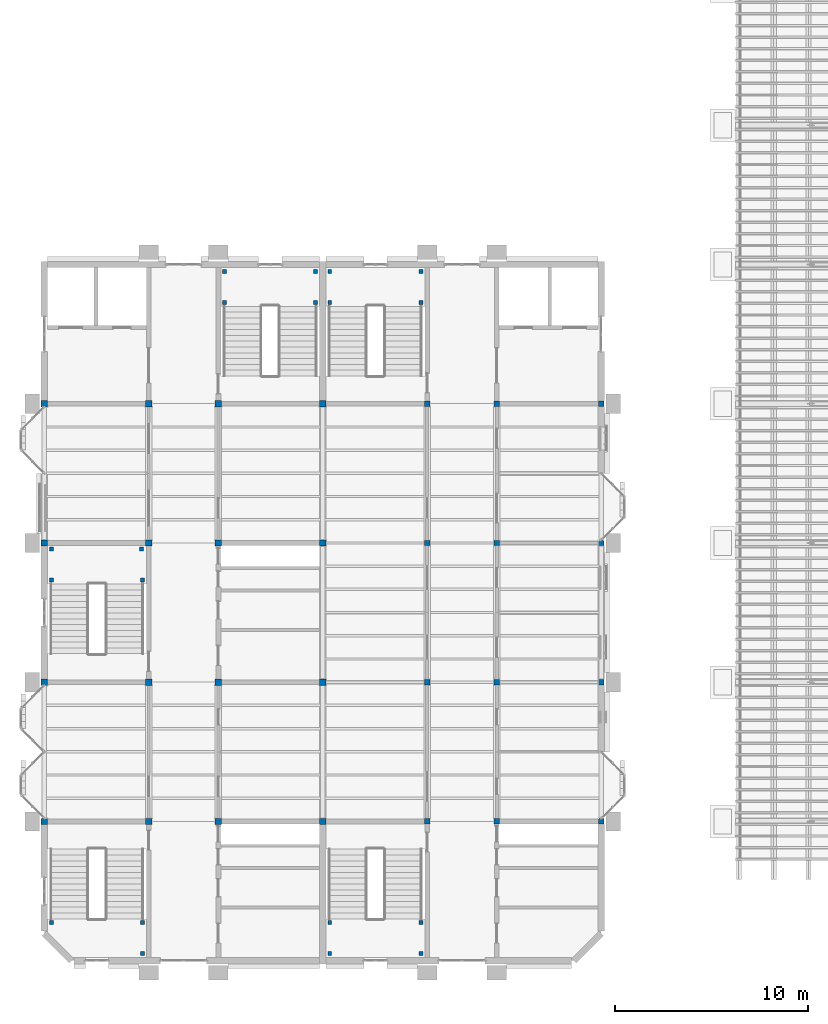
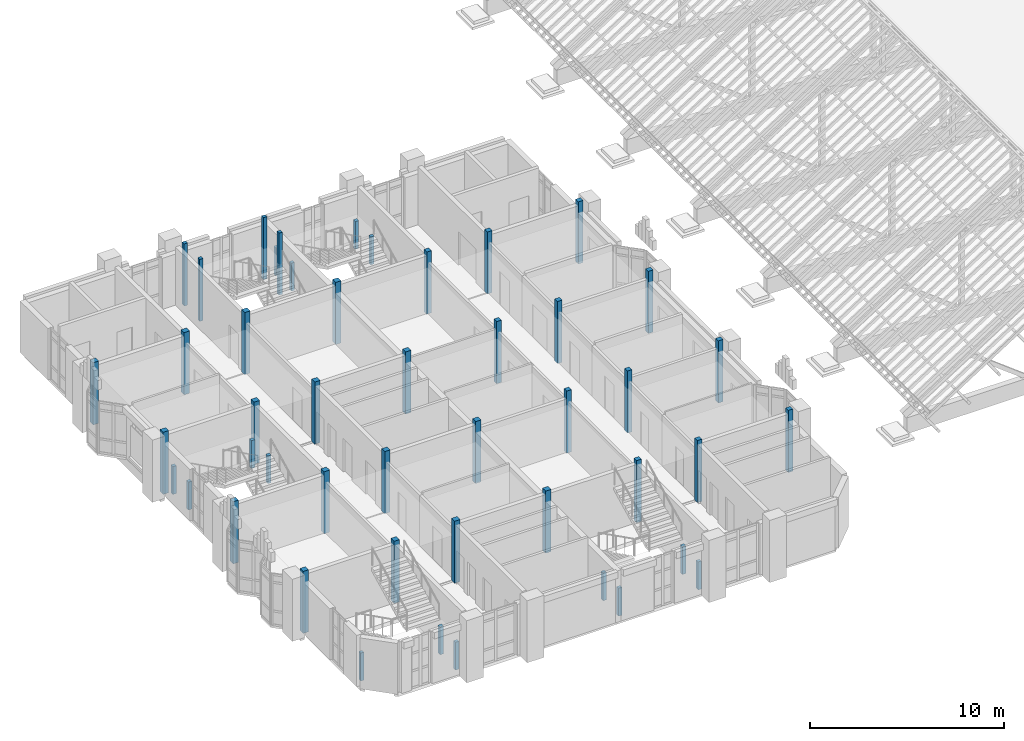
# One storey, part 1 of 71: 47 columns.
"""IFC4 building model written with IfcOpenShell, lengths in metres."""

from ifc_helpers import new_model, si_unit, direction, frame, origin, origin_2d, place, context, subcontext, project, spatial, rectangle, extrude, material, material_profile, profile_set, type_object, element, save


model = new_model("IFC4")

# Units and contexts
model_context = context("Model", 3, precision=1e-05, world=origin(), true_north=direction((0.0, 1.0)))
body_context = subcontext(model_context, "Body", "Model", "MODEL_VIEW")
ifc_project = project(units=[si_unit("LENGTHUNIT", "METRE"), si_unit("AREAUNIT", "SQUARE_METRE"), si_unit("VOLUMEUNIT", "CUBIC_METRE"), si_unit("PLANEANGLEUNIT", "RADIAN"), si_unit("MASSUNIT", "GRAM", prefix="KILO")], contexts=[model_context])

# Site, building, storey
site_placement = place(None, origin())
site = spatial("IfcSite", under=ifc_project, at=site_placement, CompositionType="ELEMENT")
building_placement = place(site_placement, origin())
building = spatial("IfcBuilding", under=site, at=building_placement, Name="Mazhai Court Health Centre", CompositionType="ELEMENT")
storey_placement = place(building_placement, frame((0.0, 0.0, 10.199951171875)))
storey = spatial("IfcBuildingStorey", under=building, at=storey_placement, Name="L02", CompositionType="ELEMENT", Elevation=10.199951171875)

# Columns
ifc_material_1 = material(Name="Glulam GL28h", Category="wood")
ifc_material_profile_1 = material_profile(ifc_material_1, rectangle(XDim=0.280029296875, YDim=0.280029296875, at=origin_2d()), Name="GL28h 280x280")
ifc_profile_set_1 = profile_set([ifc_material_profile_1], Name="Glulam GL28h")
column_type_1 = type_object("IfcColumnType", Name="GL28h 280x280 column", PredefinedType="COLUMN", material=ifc_profile_set_1)
for number, where, z_axis, x_axis, name in (
    (1, (26.0, 13.39990234375, 0.0), (0.0, 0.0, 1.0), (1.0, 0.0, 0.0), "col-V5-L02-01-B"),
    (2, (29.60009765625, 13.39990234375, 0.0), (0.0, 0.0, 1.0), (1.0, 0.0, 0.0), "col-V5-L02-01-C"),
    (3, (35.0, 13.39990234375, 0.0), (0.0, 0.0, 1.0), (1.0, 0.0, 0.0), "col-V5-L02-01-D"),
    (4, (26.0, 20.60009765625, 0.0), (0.0, 0.0, 1.0), (1.0, 0.0, 0.0), "col-V5-L02-02-B"),
    (5, (29.60009765625, 20.60009765625, 0.0), (0.0, 0.0, 1.0), (1.0, 0.0, 0.0), "col-V5-L02-02-C"),
    (6, (35.0, 20.60009765625, 0.0), (0.0, 0.0, 1.0), (1.0, 0.0, 0.0), "col-V5-L02-02-D"),
    (7, (26.0, 27.800048828125, 0.0), (0.0, 0.0, 1.0), (1.0, 0.0, 0.0), "col-V5-L02-03-B"),
    (8, (29.60009765625, 27.800048828125, 0.0), (0.0, 0.0, 1.0), (1.0, 0.0, 0.0), "col-V5-L02-03-C"),
    (9, (35.0, 27.800048828125, 0.0), (0.0, 0.0, 1.0), (1.0, 0.0, 0.0), "col-V5-L02-03-D"),
    (10, (26.0, 35.0, 0.0), (0.0, 0.0, 1.0), (1.0, 0.0, 0.0), "col-V5-L02-04-B"),
    (11, (29.60009765625, 35.0, 0.0), (0.0, 0.0, 1.0), (1.0, 0.0, 0.0), "col-V5-L02-04-C"),
    (12, (35.0, 35.0, 0.0), (0.0, 0.0, 1.0), (1.0, 0.0, 0.0), "col-V5-L02-04-D"),
):
    element("IfcColumn", number, at=place(storey_placement, frame(where, z_axis=z_axis, x_axis=x_axis)), inside=storey, type_object=column_type_1, Name=name, PredefinedType="COLUMN", context=body_context, shape_type="SweptSolid", body=[
        extrude(rectangle(XDim=0.280029296875, YDim=0.280029296875, at=origin_2d()), origin(), (0.0, 0.0, 1.0), 3.900146484375),
    ])
ifc_material_2 = material(Name="Glulam GL28h", Category="wood")
ifc_material_profile_2 = material_profile(ifc_material_2, rectangle(XDim=0.320068359375, YDim=0.320068359375, at=origin_2d()), Name="GL28h 320x320")
ifc_profile_set_2 = profile_set([ifc_material_profile_2], Name="Glulam GL28h")
column_type_2 = type_object("IfcColumnType", Name="GL28h 320x320 column", PredefinedType="COLUMN", material=ifc_profile_set_2)
for number, where, z_axis, x_axis, name in (
    (13, (6.199951171875, 13.39990234375, 0.0), (0.0, 0.0, 1.0), (1.0, 0.0, 0.0), "col-V2-L02-01-A"),
    (14, (11.60009765625, 13.39990234375, 0.0), (0.0, 0.0, 1.0), (1.0, 0.0, 0.0), "col-V2-L02-01-B"),
    (15, (15.199951171875, 13.39990234375, 0.0), (0.0, 0.0, 1.0), (1.0, 0.0, 0.0), "col-V2-L02-01-C"),
    (16, (20.60009765625, 13.39990234375, 0.0), (0.0, 0.0, 1.0), (1.0, 0.0, 0.0), "col-V2-L02-01-D"),
    (17, (6.199951171875, 20.60009765625, 0.0), (0.0, 0.0, 1.0), (1.0, 0.0, 0.0), "col-V2-L02-02-A"),
    (18, (11.60009765625, 20.60009765625, 0.0), (0.0, 0.0, 1.0), (1.0, 0.0, 0.0), "col-V2-L02-02-B"),
    (19, (15.199951171875, 20.60009765625, 0.0), (0.0, 0.0, 1.0), (1.0, 0.0, 0.0), "col-V2-L02-02-C"),
    (20, (20.60009765625, 20.60009765625, 0.0), (0.0, 0.0, 1.0), (1.0, 0.0, 0.0), "col-V2-L02-02-D"),
    (21, (6.199951171875, 27.800048828125, 0.0), (0.0, 0.0, 1.0), (1.0, 0.0, 0.0), "col-V2-L02-03-A"),
    (22, (11.60009765625, 27.800048828125, 0.0), (0.0, 0.0, 1.0), (1.0, 0.0, 0.0), "col-V2-L02-03-B"),
    (23, (15.199951171875, 27.800048828125, 0.0), (0.0, 0.0, 1.0), (1.0, 0.0, 0.0), "col-V2-L02-03-C"),
    (24, (20.60009765625, 27.800048828125, 0.0), (0.0, 0.0, 1.0), (1.0, 0.0, 0.0), "col-V2-L02-03-D"),
    (25, (6.199951171875, 35.0, 0.0), (0.0, 0.0, 1.0), (1.0, 0.0, 0.0), "col-V2-L02-04-A"),
    (26, (11.60009765625, 35.0, 0.0), (0.0, 0.0, 1.0), (1.0, 0.0, 0.0), "col-V2-L02-04-B"),
    (27, (15.199951171875, 35.0, 0.0), (0.0, 0.0, 1.0), (1.0, 0.0, 0.0), "col-V2-L02-04-C"),
    (28, (20.60009765625, 35.0, 0.0), (0.0, 0.0, 1.0), (1.0, 0.0, 0.0), "col-V2-L02-04-D"),
):
    element("IfcColumn", number, at=place(storey_placement, frame(where, z_axis=z_axis, x_axis=x_axis)), inside=storey, type_object=column_type_2, Name=name, PredefinedType="COLUMN", context=body_context, shape_type="SweptSolid", body=[
        extrude(rectangle(XDim=0.320068359375, YDim=0.320068359375, at=origin_2d()), origin(), (0.0, 0.0, 1.0), 3.900146484375),
    ])
ifc_material_3 = material(Name="Concrete M40", Category="concrete")
ifc_material_profile_3 = material_profile(ifc_material_3, rectangle(XDim=0.199951171875, YDim=0.199951171875, at=origin_2d()), Name="RC 200x200")
ifc_profile_set_3 = profile_set([ifc_material_profile_3], Name="Concrete M40")
column_type_3 = type_object("IfcColumnType", Name="RC STAIR LANDING POST 200 M40", PredefinedType="COLUMN", material=ifc_profile_set_3)
for number, where, z_axis, x_axis, name in (
    (29, (11.280029296875, 6.570068359375, 0.0), (0.0, 0.0, 1.0), (1.0, 0.0, 0.0), "post-ST1-04"),
    (30, (6.570068359375, 8.169921875, 0.0), (0.0, 0.0, 1.0), (1.0, 0.0, 0.0), "post-ST1-12"),
    (31, (11.280029296875, 8.169921875, 0.0), (0.0, 0.0, 1.0), (1.0, 0.0, 0.0), "post-ST1-15"),
    (32, (6.570068359375, 27.47998046875, 0.0), (0.0, 0.0, 1.0), (1.0, 0.0, 0.0), "post-ST2-04"),
    (33, (11.22998046875, 27.47998046875, 0.0), (0.0, 0.0, 1.0), (1.0, 0.0, 0.0), "post-ST2-08"),
    (34, (6.570068359375, 25.8798828125, 0.0), (0.0, 0.0, 1.0), (1.0, 0.0, 0.0), "post-ST2-15"),
    (35, (11.280029296875, 25.8798828125, 0.0), (0.0, 0.0, 1.0), (1.0, 0.0, 0.0), "post-ST2-18"),
):
    element("IfcColumn", number, at=place(storey_placement, frame(where, z_axis=z_axis, x_axis=x_axis)), inside=storey, type_object=column_type_3, Name=name, PredefinedType="COLUMN", context=body_context, shape_type="SweptSolid", body=[
        extrude(rectangle(XDim=0.199951171875, YDim=0.199951171875, at=origin_2d()), origin(), (0.0, 0.0, 1.0), 1.75),
    ])
for number, where, z_axis, x_axis, name in (
    (36, (15.52001953125, 41.830078125, 0.0), (0.0, 0.0, 1.0), (1.0, 0.0, 0.0), "post-ST3-04"),
    (37, (20.22998046875, 41.830078125, 0.0), (0.0, 0.0, 1.0), (1.0, 0.0, 0.0), "post-ST3-09"),
    (38, (15.52001953125, 40.22998046875, 0.0), (0.0, 0.0, 1.0), (1.0, 0.0, 0.0), "post-ST3-17"),
    (39, (20.22998046875, 40.22998046875, 0.0), (0.0, 0.0, 1.0), (1.0, 0.0, 0.0), "post-ST3-21"),
):
    element("IfcColumn", number, at=place(storey_placement, frame(where, z_axis=z_axis, x_axis=x_axis)), inside=storey, type_object=column_type_3, Name=name, PredefinedType="COLUMN", context=body_context, shape_type="SweptSolid", body=[
        extrude(rectangle(XDim=0.199951171875, YDim=0.199951171875, at=origin_2d()), origin(), (0.0, 0.0, 1.0), 3.900146484375),
    ])
for number, where, z_axis, x_axis, name in (
    (40, (20.9599609375, 6.570068359375, 0.0), (0.0, 0.0, 1.0), (1.0, 0.0, 0.0), "post-ST4-03"),
    (41, (25.679931640625, 6.570068359375, 0.0), (0.0, 0.0, 1.0), (1.0, 0.0, 0.0), "post-ST4-07"),
    (42, (20.9599609375, 8.169921875, 0.0), (0.0, 0.0, 1.0), (1.0, 0.0, 0.0), "post-ST4-15"),
    (43, (25.679931640625, 8.169921875, 0.0), (0.0, 0.0, 1.0), (1.0, 0.0, 0.0), "post-ST4-18"),
    (44, (20.9599609375, 41.830078125, 0.0), (0.0, 0.0, 1.0), (1.0, 0.0, 0.0), "post-ST5-04"),
    (45, (25.679931640625, 41.830078125, 0.0), (0.0, 0.0, 1.0), (1.0, 0.0, 0.0), "post-ST5-08"),
    (46, (20.9599609375, 40.22998046875, 0.0), (0.0, 0.0, 1.0), (1.0, 0.0, 0.0), "post-ST5-15"),
    (47, (25.679931640625, 40.22998046875, 0.0), (0.0, 0.0, 1.0), (1.0, 0.0, 0.0), "post-ST5-18"),
):
    element("IfcColumn", number, at=place(storey_placement, frame(where, z_axis=z_axis, x_axis=x_axis)), inside=storey, type_object=column_type_3, Name=name, PredefinedType="COLUMN", context=body_context, shape_type="SweptSolid", body=[
        extrude(rectangle(XDim=0.199951171875, YDim=0.199951171875, at=origin_2d()), origin(), (0.0, 0.0, 1.0), 1.75),
    ])

save(model, "model.ifc")
